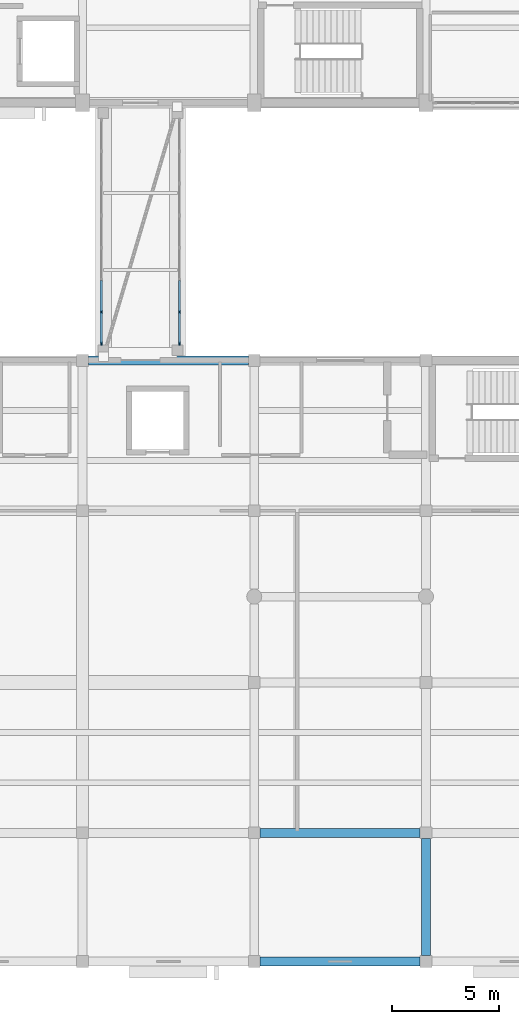
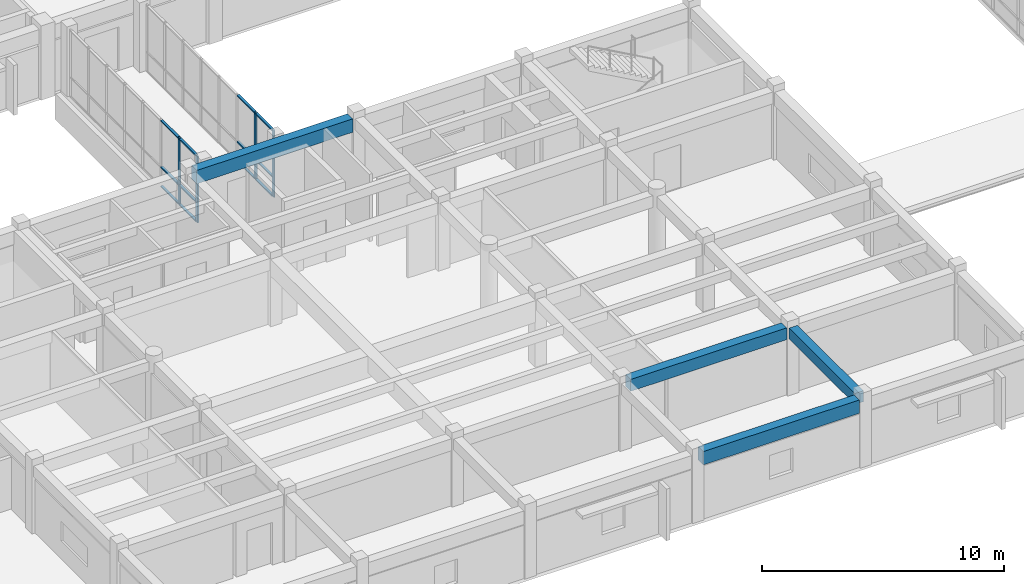
# One storey, part 6 of 42: 16 members, 4 beams, 2 elements without a shape of their own.
"""IFC4 building model written with IfcOpenShell, lengths in metres."""

from ifc_helpers import new_model, si_unit, direction, frame, origin, origin_2d, place, context, subcontext, project, spatial, rectangle, extrude, material, layer, layer_set, material_profile, profile_set, type_object, element, aggregate, save


model = new_model("IFC4")

# Units and contexts
model_context = context("Model", 3, precision=1e-05, world=origin(), true_north=direction((0.0, 1.0)))
body_context = subcontext(model_context, "Body", "Model", "MODEL_VIEW")
ifc_project = project(units=[si_unit("LENGTHUNIT", "METRE"), si_unit("AREAUNIT", "SQUARE_METRE"), si_unit("VOLUMEUNIT", "CUBIC_METRE"), si_unit("PLANEANGLEUNIT", "RADIAN"), si_unit("MASSUNIT", "GRAM", prefix="KILO")], contexts=[model_context])

# Site, building, storey
site_placement = place(None, origin())
site = spatial("IfcSite", under=ifc_project, at=site_placement, CompositionType="ELEMENT")
building_placement = place(site_placement, origin())
building = spatial("IfcBuilding", under=site, at=building_placement, Name="Naurynzar Civic Courthouse", CompositionType="ELEMENT")
storey_placement = place(building_placement, frame((0.0, 0.0, 18.300048828125)))
storey = spatial("IfcBuildingStorey", under=building, at=storey_placement, Name="L05", CompositionType="ELEMENT", Elevation=18.300048828125)

# Beams
ifc_material_1 = material(Name="Concrete C40/50", Category="concrete")
ifc_material_profile_1 = material_profile(ifc_material_1, rectangle(XDim=0.39990234375, YDim=0.550048828125, at=origin_2d()), Name="RCB 400x550")
ifc_profile_set_1 = profile_set([ifc_material_profile_1], Name="Concrete C40/50")
beam_type_1 = type_object("IfcBeamType", Name="BM-RC-400x550", PredefinedType="BEAM", material=ifc_profile_set_1)
beam_1_placement = place(storey_placement, frame((109.0, 4.27490234375, 3.135009765625), z_axis=(0.0, 1.0, 0.0), x_axis=(-1.0, 0.0, 0.0)))
element("IfcBeam", 1, at=beam_1_placement, inside=storey, type_object=beam_type_1, Name="V3 girder Y-1609 L05", PredefinedType="BEAM", context=body_context, shape_type="SweptSolid", body=[
    extrude(rectangle(XDim=0.39990234375, YDim=0.550048828125, at=origin_2d()), origin(), (0.0, 0.0, 1.0), 5.4501953125),
])
ifc_material_2 = material(Name="Concrete C40/50", Category="concrete")
ifc_material_profile_2 = material_profile(ifc_material_2, rectangle(XDim=0.425048828125, YDim=0.60009765625, at=origin_2d()), Name="RCB 425x600")
ifc_profile_set_2 = profile_set([ifc_material_profile_2], Name="Concrete C40/50")
beam_type_2 = type_object("IfcBeamType", Name="BM-RC-425x600", PredefinedType="BEAM", material=ifc_profile_set_2)
beam_2_placement = place(storey_placement, frame((101.27490234375, 10.0, 3.10986328125), z_axis=(1.0, 0.0, 0.0), x_axis=(0.0, 1.0, 0.0)))
element("IfcBeam", 2, at=beam_2_placement, inside=storey, type_object=beam_type_2, Name="V3 beam X-1575 L05", PredefinedType="BEAM", context=body_context, shape_type="SweptSolid", body=[
    extrude(rectangle(XDim=0.425048828125, YDim=0.60009765625, at=origin_2d()), origin(), (0.0, 0.0, 1.0), 7.4501953125),
])
ifc_material_3 = material(Name="Concrete C40/50", Category="concrete")
ifc_material_profile_3 = material_profile(ifc_material_3, rectangle(XDim=0.425048828125, YDim=0.675048828125, at=origin_2d()), Name="RCB 425x675")
ifc_profile_set_3 = profile_set([ifc_material_profile_3], Name="Concrete C40/50")
beam_type_3 = type_object("IfcBeamType", Name="BM-RC-425x675", PredefinedType="SPANDREL", material=ifc_profile_set_3)
for number, where, z_axis, x_axis, name in (
    (3, (101.27490234375, 4.0, 3.072509765625), (1.0, 0.0, 0.0), (0.0, 1.0, 0.0), "V3 beam X-1570 L05"),
    (4, (93.27490234375, 32.0, 3.072509765625), (1.0, 0.0, 0.0), (0.0, 1.0, 0.0), "V3 beam X-1588 L05"),
):
    element("IfcBeam", number, at=place(storey_placement, frame(where, z_axis=z_axis, x_axis=x_axis)), inside=storey, type_object=beam_type_3, Name=name, PredefinedType="SPANDREL", context=body_context, shape_type="SweptSolid", body=[
        extrude(rectangle(XDim=0.425048828125, YDim=0.675048828125, at=origin_2d()), origin(), (0.0, 0.0, 1.0), 7.4501953125),
    ])

# Curtain wall, members
ifc_material_4 = material(Name="Aluminium 6063-T6", Category="aluminium")
ifc_layer = layer(ifc_material_4, 0.14990234375)
ifc_layer_set = layer_set([ifc_layer], Name="CW-BRIDGE-1500")
curtain_wall_type = type_object("IfcCurtainWallType", Name="CW-BRIDGE-1500", PredefinedType="USERDEFINED", material=ifc_layer_set)
curtain_wall_1_placement = place(storey_placement, origin())
curtain_wall_1 = element("IfcCurtainWall", 5, at=curtain_wall_1_placement, inside=storey, type_object=curtain_wall_type, Name="BR-C1 glazed bridge screen L05.1", ObjectType="GLAZED BRIDGE SCREEN", PredefinedType="USERDEFINED")
ifc_material_5 = material(Name="Aluminium 6063-T6", Category="aluminium")
ifc_material_profile_4 = material_profile(ifc_material_5, rectangle(XDim=0.06005859375, YDim=0.14990234375, at=origin_2d()), Name="ALU MULLION 60x150")
ifc_profile_set_4 = profile_set([ifc_material_profile_4], Name="Aluminium 6063-T6")
member_type_1 = type_object("IfcMemberType", Name="CWM-60x150", PredefinedType="MULLION", material=ifc_profile_set_4)
member_1_placement = place(storey_placement, frame((93.8798828125, 34.257080078125, 0.0), z_axis=(0.0, 0.0, 1.0), x_axis=(1.0, 0.0, 0.0)))
member_1 = element("IfcMember", 6, at=member_1_placement, type_object=member_type_1, Name="CW-03 mullion 7", PredefinedType="MULLION", context=body_context, shape_type="SweptSolid", body=[
    extrude(rectangle(XDim=0.06005859375, YDim=0.14990234375, at=origin_2d()), origin(), (0.0, 0.0, 1.0), 3.369873046875),
])
member_2_placement = place(storey_placement, frame((93.8798828125, 32.7900390625, 0.0), z_axis=(0.0, 0.0, 1.0), x_axis=(1.0, 0.0, 0.0)))
member_2 = element("IfcMember", 7, at=member_2_placement, type_object=member_type_1, Name="CW-03 mullion 8", PredefinedType="MULLION", context=body_context, shape_type="SweptSolid", body=[
    extrude(rectangle(XDim=0.06005859375, YDim=0.14990234375, at=origin_2d()), origin(), (0.0, 0.0, 1.0), 3.369873046875),
])

curtain_wall_2_placement = place(storey_placement, origin())
curtain_wall_2 = element("IfcCurtainWall", 8, at=curtain_wall_2_placement, inside=storey, type_object=curtain_wall_type, Name="BR-C1 glazed bridge screen L05.2", ObjectType="GLAZED BRIDGE SCREEN", PredefinedType="USERDEFINED")
member_3_placement = place(storey_placement, frame((97.52001953125, 32.7900390625, 0.0), z_axis=(0.0, 0.0, 1.0), x_axis=(-1.0, 0.0, 0.0)))
member_3 = element("IfcMember", 9, at=member_3_placement, type_object=member_type_1, Name="CW-03 mullion 1", PredefinedType="MULLION", context=body_context, shape_type="SweptSolid", body=[
    extrude(rectangle(XDim=0.06005859375, YDim=0.14990234375, at=origin_2d()), origin(), (0.0, 0.0, 1.0), 3.369873046875),
])
member_4_placement = place(storey_placement, frame((97.52001953125, 34.257080078125, 0.0), z_axis=(0.0, 0.0, 1.0), x_axis=(-1.0, 0.0, 0.0)))
member_4 = element("IfcMember", 10, at=member_4_placement, type_object=member_type_1, Name="CW-03 mullion 2", PredefinedType="MULLION", context=body_context, shape_type="SweptSolid", body=[
    extrude(rectangle(XDim=0.06005859375, YDim=0.14990234375, at=origin_2d()), origin(), (0.0, 0.0, 1.0), 3.369873046875),
])

# Member
ifc_material_6 = material(Name="Aluminium 6063-T6", Category="aluminium")
ifc_material_profile_5 = material_profile(ifc_material_6, rectangle(XDim=0.110107421875, YDim=0.06005859375, at=origin_2d()), Name="ALU TRANSOM 60x110")
ifc_profile_set_5 = profile_set([ifc_material_profile_5], Name="Aluminium 6063-T6")
member_type_2 = type_object("IfcMemberType", Name="CWT-60x110", PredefinedType="USERDEFINED", material=ifc_profile_set_5)
member_5_placement = place(storey_placement, frame((93.8798828125, 35.724365234375, 0.030029296875), z_axis=(0.0, -1.0, 0.0), x_axis=(1.0, 0.0, 0.0)))
member_5 = element("IfcMember", 11, at=member_5_placement, type_object=member_type_2, Name="CW-03 transom 6.1", ObjectType="TRANSOM", PredefinedType="USERDEFINED", context=body_context, shape_type="SweptSolid", body=[
    extrude(rectangle(XDim=0.110107421875, YDim=0.06005859375, at=origin_2d()), origin(), (0.0, 0.0, 1.0), 1.437255859375),
])

member_6_placement = place(storey_placement, frame((93.8798828125, 35.724365234375, 1.0), z_axis=(0.0, -1.0, 0.0), x_axis=(1.0, 0.0, 0.0)))
member_6 = element("IfcMember", 12, at=member_6_placement, type_object=member_type_2, Name="CW-03 transom 6.2", ObjectType="TRANSOM", PredefinedType="USERDEFINED", context=body_context, shape_type="SweptSolid", body=[
    extrude(rectangle(XDim=0.110107421875, YDim=0.06005859375, at=origin_2d()), origin(), (0.0, 0.0, 1.0), 1.437255859375),
])

member_7_placement = place(storey_placement, frame((93.8798828125, 35.724365234375, 3.33984375), z_axis=(0.0, -1.0, 0.0), x_axis=(1.0, 0.0, 0.0)))
member_7 = element("IfcMember", 13, at=member_7_placement, type_object=member_type_2, Name="CW-03 transom 6.3", ObjectType="TRANSOM", PredefinedType="USERDEFINED", context=body_context, shape_type="SweptSolid", body=[
    extrude(rectangle(XDim=0.110107421875, YDim=0.06005859375, at=origin_2d()), origin(), (0.0, 0.0, 1.0), 1.437255859375),
])

member_8_placement = place(storey_placement, frame((93.8798828125, 34.22705078125, 0.030029296875), z_axis=(0.0, -1.0, 0.0), x_axis=(1.0, 0.0, 0.0)))
member_8 = element("IfcMember", 14, at=member_8_placement, type_object=member_type_2, Name="CW-03 transom 7.1", ObjectType="TRANSOM", PredefinedType="USERDEFINED", context=body_context, shape_type="SweptSolid", body=[
    extrude(rectangle(XDim=0.110107421875, YDim=0.06005859375, at=origin_2d()), origin(), (0.0, 0.0, 1.0), 1.406982421875),
])

member_9_placement = place(storey_placement, frame((93.8798828125, 34.22705078125, 1.0), z_axis=(0.0, -1.0, 0.0), x_axis=(1.0, 0.0, 0.0)))
member_9 = element("IfcMember", 15, at=member_9_placement, type_object=member_type_2, Name="CW-03 transom 7.2", ObjectType="TRANSOM", PredefinedType="USERDEFINED", context=body_context, shape_type="SweptSolid", body=[
    extrude(rectangle(XDim=0.110107421875, YDim=0.06005859375, at=origin_2d()), origin(), (0.0, 0.0, 1.0), 1.406982421875),
])

member_10_placement = place(storey_placement, frame((93.8798828125, 34.22705078125, 3.33984375), z_axis=(0.0, -1.0, 0.0), x_axis=(1.0, 0.0, 0.0)))
member_10 = element("IfcMember", 16, at=member_10_placement, type_object=member_type_2, Name="CW-03 transom 7.3", ObjectType="TRANSOM", PredefinedType="USERDEFINED", context=body_context, shape_type="SweptSolid", body=[
    extrude(rectangle(XDim=0.110107421875, YDim=0.06005859375, at=origin_2d()), origin(), (0.0, 0.0, 1.0), 1.406982421875),
])

aggregate(curtain_wall_1, [member_1, member_2, member_5, member_6, member_7, member_8, member_9, member_10])

member_11_placement = place(storey_placement, frame((97.52001953125, 32.820068359375, 0.030029296875), z_axis=(0.0, 1.0, 0.0), x_axis=(-1.0, 0.0, 0.0)))
member_11 = element("IfcMember", 17, at=member_11_placement, type_object=member_type_2, Name="CW-03 transom 1.1", ObjectType="TRANSOM", PredefinedType="USERDEFINED", context=body_context, shape_type="SweptSolid", body=[
    extrude(rectangle(XDim=0.110107421875, YDim=0.06005859375, at=origin_2d()), origin(), (0.0, 0.0, 1.0), 1.406982421875),
])

member_12_placement = place(storey_placement, frame((97.52001953125, 32.820068359375, 1.0), z_axis=(0.0, 1.0, 0.0), x_axis=(-1.0, 0.0, 0.0)))
member_12 = element("IfcMember", 18, at=member_12_placement, type_object=member_type_2, Name="CW-03 transom 1.2", ObjectType="TRANSOM", PredefinedType="USERDEFINED", context=body_context, shape_type="SweptSolid", body=[
    extrude(rectangle(XDim=0.110107421875, YDim=0.06005859375, at=origin_2d()), origin(), (0.0, 0.0, 1.0), 1.406982421875),
])

member_13_placement = place(storey_placement, frame((97.52001953125, 32.820068359375, 3.33984375), z_axis=(0.0, 1.0, 0.0), x_axis=(-1.0, 0.0, 0.0)))
member_13 = element("IfcMember", 19, at=member_13_placement, type_object=member_type_2, Name="CW-03 transom 1.3", ObjectType="TRANSOM", PredefinedType="USERDEFINED", context=body_context, shape_type="SweptSolid", body=[
    extrude(rectangle(XDim=0.110107421875, YDim=0.06005859375, at=origin_2d()), origin(), (0.0, 0.0, 1.0), 1.406982421875),
])

member_14_placement = place(storey_placement, frame((97.52001953125, 34.287109375, 0.030029296875), z_axis=(0.0, 1.0, 0.0), x_axis=(-1.0, 0.0, 0.0)))
member_14 = element("IfcMember", 20, at=member_14_placement, type_object=member_type_2, Name="CW-03 transom 2.1", ObjectType="TRANSOM", PredefinedType="USERDEFINED", context=body_context, shape_type="SweptSolid", body=[
    extrude(rectangle(XDim=0.110107421875, YDim=0.06005859375, at=origin_2d()), origin(), (0.0, 0.0, 1.0), 1.437255859375),
])

member_15_placement = place(storey_placement, frame((97.52001953125, 34.287109375, 1.0), z_axis=(0.0, 1.0, 0.0), x_axis=(-1.0, 0.0, 0.0)))
member_15 = element("IfcMember", 21, at=member_15_placement, type_object=member_type_2, Name="CW-03 transom 2.2", ObjectType="TRANSOM", PredefinedType="USERDEFINED", context=body_context, shape_type="SweptSolid", body=[
    extrude(rectangle(XDim=0.110107421875, YDim=0.06005859375, at=origin_2d()), origin(), (0.0, 0.0, 1.0), 1.437255859375),
])

member_16_placement = place(storey_placement, frame((97.52001953125, 34.287109375, 3.33984375), z_axis=(0.0, 1.0, 0.0), x_axis=(-1.0, 0.0, 0.0)))
member_16 = element("IfcMember", 22, at=member_16_placement, type_object=member_type_2, Name="CW-03 transom 2.3", ObjectType="TRANSOM", PredefinedType="USERDEFINED", context=body_context, shape_type="SweptSolid", body=[
    extrude(rectangle(XDim=0.110107421875, YDim=0.06005859375, at=origin_2d()), origin(), (0.0, 0.0, 1.0), 1.437255859375),
])

aggregate(curtain_wall_2, [member_3, member_4, member_11, member_12, member_13, member_14, member_15, member_16])

save(model, "model.ifc")
